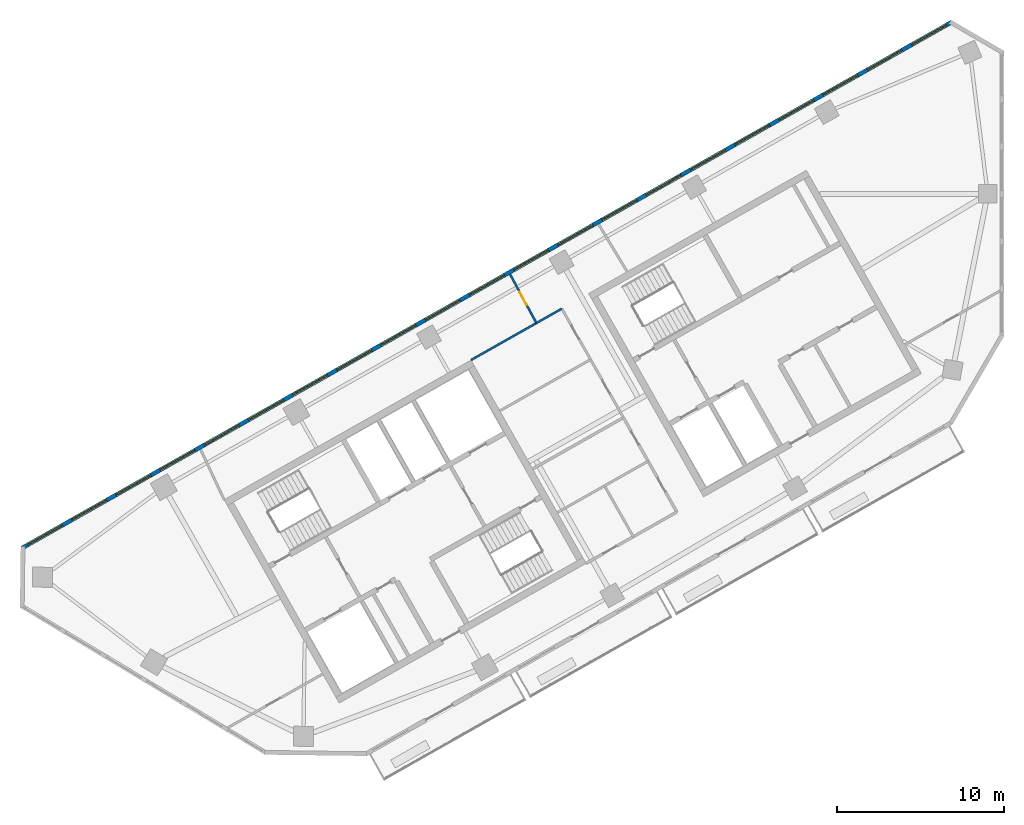
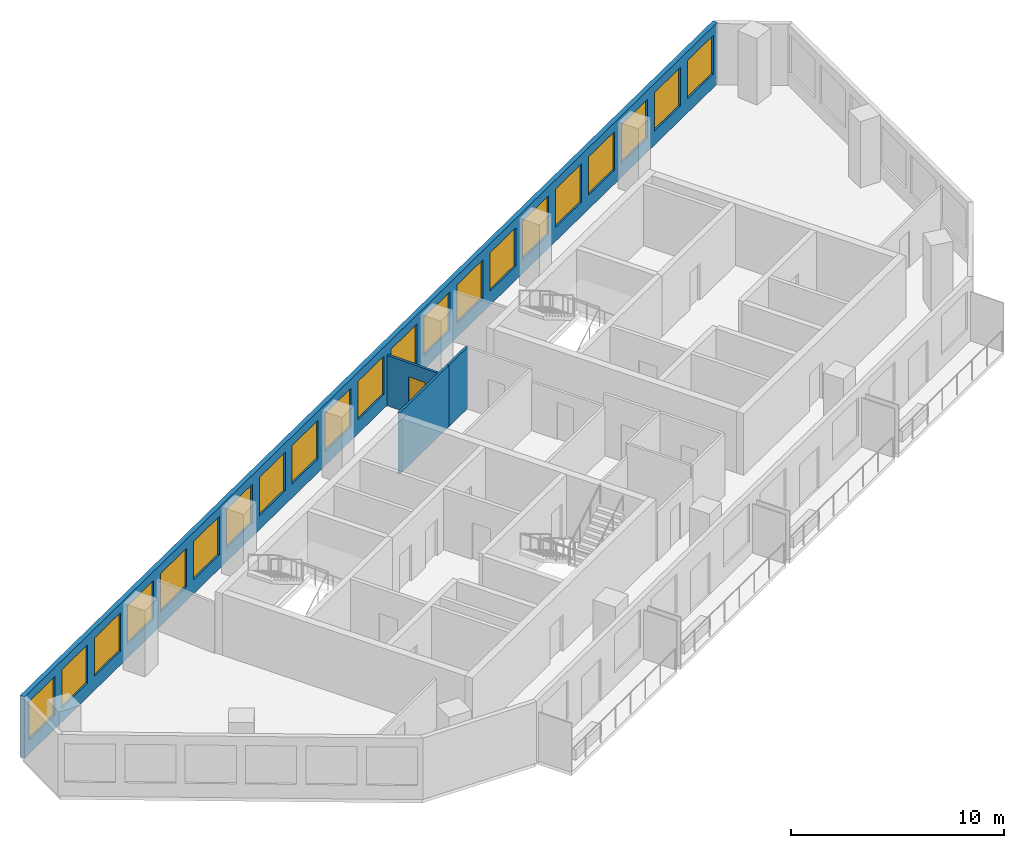
# One storey, part 3 of 7: 21 windows, 4 walls, 1 door, 22 openings.
"""IFC4 building model written with IfcOpenShell, lengths in metres."""

from ifc_helpers import new_model, si_unit, direction, frame, frame_2d, origin, place, context, subcontext, project, spatial, rectangle, extrude, material, layer, layer_set, type_object, element, fill, save


model = new_model("IFC4")

# Units and contexts
model_context = context("Model", 3, precision=1e-05, world=origin(), true_north=direction((0.0, 1.0)))
body_context = subcontext(model_context, "Body", "Model", "MODEL_VIEW")
ifc_project = project(units=[si_unit("LENGTHUNIT", "METRE"), si_unit("AREAUNIT", "SQUARE_METRE"), si_unit("VOLUMEUNIT", "CUBIC_METRE"), si_unit("PLANEANGLEUNIT", "RADIAN"), si_unit("MASSUNIT", "GRAM", prefix="KILO")], contexts=[model_context])

# Site, building, storey
site_placement = place(None, origin())
site = spatial("IfcSite", under=ifc_project, at=site_placement, CompositionType="ELEMENT")
building_placement = place(site_placement, origin())
building = spatial("IfcBuilding", under=site, at=building_placement, Name="Binnacle Exchange Tower", CompositionType="ELEMENT")
storey_placement = place(building_placement, frame((0.0, 0.0, 266.5)))
storey = spatial("IfcBuildingStorey", under=building, at=storey_placement, Name="L59", CompositionType="ELEMENT", Elevation=266.5)

# Wall, openings, windows
ifc_material_1 = material(Name="Bronze aluminium cladding", Category="aluminium")
ifc_layer_1 = layer(ifc_material_1, 0.25)
ifc_layer_set_1 = layer_set([ifc_layer_1], Name="External wall - window wall 250")
wall_type_1 = type_object("IfcWallType", Name="External wall - window wall 250", PredefinedType="STANDARD", material=ifc_layer_set_1)
wall_1_placement = place(storey_placement, frame((-58.732177734375, 38.770751953125, 0.0), z_axis=(0.0, 0.0, 1.0), x_axis=(0.870355615581, 0.492423702137, 0.0)))
wall_1 = element("IfcWall", 1, at=wall_1_placement, inside=storey, type_object=wall_type_1, Name="External wall EW-H03 L59", PredefinedType="STANDARD", context=body_context, shape_type="SweptSolid", body=[
    extrude(rectangle(XDim=64.052490234375, YDim=0.25, at=frame_2d((32.0263671875, 0.0))), origin(), (0.0, 0.0, 1.0), 3.52001953125),
])
opening_1_placement = place(wall_1_placement, frame((61.25927734375, 0.0, 0.800048828125)))
opening_1 = element("IfcOpeningElement", 2, at=opening_1_placement, cuts=wall_1, Name="Opening WR2", PredefinedType="OPENING", context=body_context, shape_type="SweptSolid", body=[
    extrude(rectangle(XDim=2.39990234375, YDim=2.199951171875, at=frame_2d((1.199951171875, 1.10009765625))), frame((0.0, 0.135009765625, 0.0), z_axis=(0.0, -1.0, 0.0), x_axis=(1.0, 0.0, 0.0)), (0.0, 0.0, 1.0), 0.27001953125),
])
opening_2_placement = place(wall_1_placement, frame((58.2158203125, 0.0, 0.800048828125)))
opening_2 = element("IfcOpeningElement", 3, at=opening_2_placement, cuts=wall_1, Name="Opening WR2", PredefinedType="OPENING", context=body_context, shape_type="SweptSolid", body=[
    extrude(rectangle(XDim=2.39990234375, YDim=2.199951171875, at=frame_2d((1.199951171875, 1.10009765625))), frame((0.0, 0.135009765625, 0.0), z_axis=(0.0, -1.0, 0.0), x_axis=(1.0, 0.0, 0.0)), (0.0, 0.0, 1.0), 0.27001953125),
])
opening_3_placement = place(wall_1_placement, frame((55.172607421875, 0.0, 0.800048828125)))
opening_3 = element("IfcOpeningElement", 4, at=opening_3_placement, cuts=wall_1, Name="Opening WR2", PredefinedType="OPENING", context=body_context, shape_type="SweptSolid", body=[
    extrude(rectangle(XDim=2.39990234375, YDim=2.199951171875, at=frame_2d((1.199951171875, 1.10009765625))), frame((0.0, 0.135009765625, 0.0), z_axis=(0.0, -1.0, 0.0), x_axis=(1.0, 0.0, 0.0)), (0.0, 0.0, 1.0), 0.27001953125),
])
opening_4_placement = place(wall_1_placement, frame((52.12939453125, 0.0, 0.800048828125)))
opening_4 = element("IfcOpeningElement", 5, at=opening_4_placement, cuts=wall_1, Name="Opening WR2", PredefinedType="OPENING", context=body_context, shape_type="SweptSolid", body=[
    extrude(rectangle(XDim=2.39990234375, YDim=2.199951171875, at=frame_2d((1.199951171875, 1.10009765625))), frame((0.0, 0.135009765625, 0.0), z_axis=(0.0, -1.0, 0.0), x_axis=(1.0, 0.0, 0.0)), (0.0, 0.0, 1.0), 0.27001953125),
])
opening_5_placement = place(wall_1_placement, frame((49.0859375, 0.0, 0.800048828125)))
opening_5 = element("IfcOpeningElement", 6, at=opening_5_placement, cuts=wall_1, Name="Opening WR2", PredefinedType="OPENING", context=body_context, shape_type="SweptSolid", body=[
    extrude(rectangle(XDim=2.39990234375, YDim=2.199951171875, at=frame_2d((1.199951171875, 1.10009765625))), frame((0.0, 0.135009765625, 0.0), z_axis=(0.0, -1.0, 0.0), x_axis=(1.0, 0.0, 0.0)), (0.0, 0.0, 1.0), 0.27001953125),
])
opening_6_placement = place(wall_1_placement, frame((46.042724609375, 0.0, 0.800048828125)))
opening_6 = element("IfcOpeningElement", 7, at=opening_6_placement, cuts=wall_1, Name="Opening WR2", PredefinedType="OPENING", context=body_context, shape_type="SweptSolid", body=[
    extrude(rectangle(XDim=2.39990234375, YDim=2.199951171875, at=frame_2d((1.199951171875, 1.10009765625))), frame((0.0, 0.135009765625, 0.0), z_axis=(0.0, -1.0, 0.0), x_axis=(1.0, 0.0, 0.0)), (0.0, 0.0, 1.0), 0.27001953125),
])
opening_7_placement = place(wall_1_placement, frame((42.99951171875, 0.0, 0.800048828125)))
opening_7 = element("IfcOpeningElement", 8, at=opening_7_placement, cuts=wall_1, Name="Opening WR2", PredefinedType="OPENING", context=body_context, shape_type="SweptSolid", body=[
    extrude(rectangle(XDim=2.39990234375, YDim=2.199951171875, at=frame_2d((1.199951171875, 1.10009765625))), frame((0.0, 0.135009765625, 0.0), z_axis=(0.0, -1.0, 0.0), x_axis=(1.0, 0.0, 0.0)), (0.0, 0.0, 1.0), 0.27001953125),
])
opening_8_placement = place(wall_1_placement, frame((39.956298828125, 0.0, 0.800048828125)))
opening_8 = element("IfcOpeningElement", 9, at=opening_8_placement, cuts=wall_1, Name="Opening WR2", PredefinedType="OPENING", context=body_context, shape_type="SweptSolid", body=[
    extrude(rectangle(XDim=2.39990234375, YDim=2.199951171875, at=frame_2d((1.199951171875, 1.10009765625))), frame((0.0, 0.135009765625, 0.0), z_axis=(0.0, -1.0, 0.0), x_axis=(1.0, 0.0, 0.0)), (0.0, 0.0, 1.0), 0.27001953125),
])
opening_9_placement = place(wall_1_placement, frame((36.912841796875, 0.0, 0.800048828125)))
opening_9 = element("IfcOpeningElement", 10, at=opening_9_placement, cuts=wall_1, Name="Opening WR2", PredefinedType="OPENING", context=body_context, shape_type="SweptSolid", body=[
    extrude(rectangle(XDim=2.39990234375, YDim=2.199951171875, at=frame_2d((1.199951171875, 1.10009765625))), frame((0.0, 0.135009765625, 0.0), z_axis=(0.0, -1.0, 0.0), x_axis=(1.0, 0.0, 0.0)), (0.0, 0.0, 1.0), 0.27001953125),
])
opening_10_placement = place(wall_1_placement, frame((33.86962890625, 0.0, 0.800048828125)))
opening_10 = element("IfcOpeningElement", 11, at=opening_10_placement, cuts=wall_1, Name="Opening WR2", PredefinedType="OPENING", context=body_context, shape_type="SweptSolid", body=[
    extrude(rectangle(XDim=2.39990234375, YDim=2.199951171875, at=frame_2d((1.199951171875, 1.10009765625))), frame((0.0, 0.135009765625, 0.0), z_axis=(0.0, -1.0, 0.0), x_axis=(1.0, 0.0, 0.0)), (0.0, 0.0, 1.0), 0.27001953125),
])
opening_11_placement = place(wall_1_placement, frame((30.826416015625, 0.0, 0.800048828125)))
opening_11 = element("IfcOpeningElement", 12, at=opening_11_placement, cuts=wall_1, Name="Opening WR2", PredefinedType="OPENING", context=body_context, shape_type="SweptSolid", body=[
    extrude(rectangle(XDim=2.39990234375, YDim=2.199951171875, at=frame_2d((1.199951171875, 1.10009765625))), frame((0.0, 0.135009765625, 0.0), z_axis=(0.0, -1.0, 0.0), x_axis=(1.0, 0.0, 0.0)), (0.0, 0.0, 1.0), 0.27001953125),
])
opening_12_placement = place(wall_1_placement, frame((27.782958984375, 0.0, 0.800048828125)))
opening_12 = element("IfcOpeningElement", 13, at=opening_12_placement, cuts=wall_1, Name="Opening WR2", PredefinedType="OPENING", context=body_context, shape_type="SweptSolid", body=[
    extrude(rectangle(XDim=2.39990234375, YDim=2.199951171875, at=frame_2d((1.199951171875, 1.10009765625))), frame((0.0, 0.135009765625, 0.0), z_axis=(0.0, -1.0, 0.0), x_axis=(1.0, 0.0, 0.0)), (0.0, 0.0, 1.0), 0.27001953125),
])
opening_13_placement = place(wall_1_placement, frame((24.73974609375, 0.0, 0.800048828125)))
opening_13 = element("IfcOpeningElement", 14, at=opening_13_placement, cuts=wall_1, Name="Opening WR2", PredefinedType="OPENING", context=body_context, shape_type="SweptSolid", body=[
    extrude(rectangle(XDim=2.39990234375, YDim=2.199951171875, at=frame_2d((1.199951171875, 1.10009765625))), frame((0.0, 0.135009765625, 0.0), z_axis=(0.0, -1.0, 0.0), x_axis=(1.0, 0.0, 0.0)), (0.0, 0.0, 1.0), 0.27001953125),
])
opening_14_placement = place(wall_1_placement, frame((21.6962890625, 0.0, 0.800048828125)))
opening_14 = element("IfcOpeningElement", 15, at=opening_14_placement, cuts=wall_1, Name="Opening WR2", PredefinedType="OPENING", context=body_context, shape_type="SweptSolid", body=[
    extrude(rectangle(XDim=2.39990234375, YDim=2.199951171875, at=frame_2d((1.199951171875, 1.10009765625))), frame((0.0, 0.135009765625, 0.0), z_axis=(0.0, -1.0, 0.0), x_axis=(1.0, 0.0, 0.0)), (0.0, 0.0, 1.0), 0.27001953125),
])
opening_15_placement = place(wall_1_placement, frame((18.6533203125, 0.0, 0.800048828125)))
opening_15 = element("IfcOpeningElement", 16, at=opening_15_placement, cuts=wall_1, Name="Opening WR2", PredefinedType="OPENING", context=body_context, shape_type="SweptSolid", body=[
    extrude(rectangle(XDim=2.39990234375, YDim=2.199951171875, at=frame_2d((1.199951171875, 1.10009765625))), frame((0.0, 0.135009765625, 0.0), z_axis=(0.0, -1.0, 0.0), x_axis=(1.0, 0.0, 0.0)), (0.0, 0.0, 1.0), 0.27001953125),
])
opening_16_placement = place(wall_1_placement, frame((15.60986328125, 0.0, 0.800048828125)))
opening_16 = element("IfcOpeningElement", 17, at=opening_16_placement, cuts=wall_1, Name="Opening WR2", PredefinedType="OPENING", context=body_context, shape_type="SweptSolid", body=[
    extrude(rectangle(XDim=2.39990234375, YDim=2.199951171875, at=frame_2d((1.199951171875, 1.10009765625))), frame((0.0, 0.135009765625, 0.0), z_axis=(0.0, -1.0, 0.0), x_axis=(1.0, 0.0, 0.0)), (0.0, 0.0, 1.0), 0.27001953125),
])
opening_17_placement = place(wall_1_placement, frame((12.566650390625, 0.0, 0.800048828125)))
opening_17 = element("IfcOpeningElement", 18, at=opening_17_placement, cuts=wall_1, Name="Opening WR2", PredefinedType="OPENING", context=body_context, shape_type="SweptSolid", body=[
    extrude(rectangle(XDim=2.39990234375, YDim=2.199951171875, at=frame_2d((1.199951171875, 1.10009765625))), frame((0.0, 0.135009765625, 0.0), z_axis=(0.0, -1.0, 0.0), x_axis=(1.0, 0.0, 0.0)), (0.0, 0.0, 1.0), 0.27001953125),
])
opening_18_placement = place(wall_1_placement, frame((9.523193359375, 0.0, 0.800048828125)))
opening_18 = element("IfcOpeningElement", 19, at=opening_18_placement, cuts=wall_1, Name="Opening WR2", PredefinedType="OPENING", context=body_context, shape_type="SweptSolid", body=[
    extrude(rectangle(XDim=2.39990234375, YDim=2.199951171875, at=frame_2d((1.199951171875, 1.10009765625))), frame((0.0, 0.135009765625, 0.0), z_axis=(0.0, -1.0, 0.0), x_axis=(1.0, 0.0, 0.0)), (0.0, 0.0, 1.0), 0.27001953125),
])
opening_19_placement = place(wall_1_placement, frame((6.47998046875, 0.0, 0.800048828125)))
opening_19 = element("IfcOpeningElement", 20, at=opening_19_placement, cuts=wall_1, Name="Opening WR2", PredefinedType="OPENING", context=body_context, shape_type="SweptSolid", body=[
    extrude(rectangle(XDim=2.39990234375, YDim=2.199951171875, at=frame_2d((1.199951171875, 1.10009765625))), frame((0.0, 0.135009765625, 0.0), z_axis=(0.0, -1.0, 0.0), x_axis=(1.0, 0.0, 0.0)), (0.0, 0.0, 1.0), 0.27001953125),
])
opening_20_placement = place(wall_1_placement, frame((3.436767578125, 0.0, 0.800048828125)))
opening_20 = element("IfcOpeningElement", 21, at=opening_20_placement, cuts=wall_1, Name="Opening WR2", PredefinedType="OPENING", context=body_context, shape_type="SweptSolid", body=[
    extrude(rectangle(XDim=2.39990234375, YDim=2.199951171875, at=frame_2d((1.199951171875, 1.10009765625))), frame((0.0, 0.135009765625, 0.0), z_axis=(0.0, -1.0, 0.0), x_axis=(1.0, 0.0, 0.0)), (0.0, 0.0, 1.0), 0.27001953125),
])
opening_21_placement = place(wall_1_placement, frame((0.393310546875, 0.0, 0.800048828125)))
opening_21 = element("IfcOpeningElement", 22, at=opening_21_placement, cuts=wall_1, Name="Opening WR2", PredefinedType="OPENING", context=body_context, shape_type="SweptSolid", body=[
    extrude(rectangle(XDim=2.39990234375, YDim=2.199951171875, at=frame_2d((1.199951171875, 1.10009765625))), frame((0.0, 0.135009765625, 0.0), z_axis=(0.0, -1.0, 0.0), x_axis=(1.0, 0.0, 0.0)), (0.0, 0.0, 1.0), 0.27001953125),
])
ifc_material_2 = material(Name="Bronze anodised aluminium frame", Category="aluminium")
window_type = type_object("IfcWindowType", Name="WR2 WINDOW 2400x2200", PartitioningType="SINGLE_PANEL", PredefinedType="WINDOW", material=ifc_material_2)
window_1_placement = place(opening_1_placement, origin())
window_1 = element("IfcWindow", 23, at=window_1_placement, inside=storey, type_object=window_type, Name="Window WR2 L59", OverallHeight=2.199951171875, OverallWidth=2.39990234375, PartitioningType="SINGLE_PANEL", PredefinedType="WINDOW", context=body_context, shape_type="SweptSolid", body=[
    extrude(rectangle(XDim=2.39990234375, YDim=2.199951171875, at=frame_2d((1.199951171875, 1.10009765625))), frame((0.0, 0.030029296875, 0.0), z_axis=(0.0, -1.0, 0.0), x_axis=(1.0, 0.0, 0.0)), (0.0, 0.0, 1.0), 0.06005859375),
])
fill(opening_1, window_1)
window_2_placement = place(opening_2_placement, origin())
window_2 = element("IfcWindow", 24, at=window_2_placement, inside=storey, type_object=window_type, Name="Window WR2 L59", OverallHeight=2.199951171875, OverallWidth=2.39990234375, PartitioningType="SINGLE_PANEL", PredefinedType="WINDOW", context=body_context, shape_type="SweptSolid", body=[
    extrude(rectangle(XDim=2.39990234375, YDim=2.199951171875, at=frame_2d((1.199951171875, 1.10009765625))), frame((0.0, 0.030029296875, 0.0), z_axis=(0.0, -1.0, 0.0), x_axis=(1.0, 0.0, 0.0)), (0.0, 0.0, 1.0), 0.06005859375),
])
fill(opening_2, window_2)
window_3_placement = place(opening_3_placement, origin())
window_3 = element("IfcWindow", 25, at=window_3_placement, inside=storey, type_object=window_type, Name="Window WR2 L59", OverallHeight=2.199951171875, OverallWidth=2.39990234375, PartitioningType="SINGLE_PANEL", PredefinedType="WINDOW", context=body_context, shape_type="SweptSolid", body=[
    extrude(rectangle(XDim=2.39990234375, YDim=2.199951171875, at=frame_2d((1.199951171875, 1.10009765625))), frame((0.0, 0.030029296875, 0.0), z_axis=(0.0, -1.0, 0.0), x_axis=(1.0, 0.0, 0.0)), (0.0, 0.0, 1.0), 0.06005859375),
])
fill(opening_3, window_3)
window_4_placement = place(opening_4_placement, origin())
window_4 = element("IfcWindow", 26, at=window_4_placement, inside=storey, type_object=window_type, Name="Window WR2 L59", OverallHeight=2.199951171875, OverallWidth=2.39990234375, PartitioningType="SINGLE_PANEL", PredefinedType="WINDOW", context=body_context, shape_type="SweptSolid", body=[
    extrude(rectangle(XDim=2.39990234375, YDim=2.199951171875, at=frame_2d((1.199951171875, 1.10009765625))), frame((0.0, 0.030029296875, 0.0), z_axis=(0.0, -1.0, 0.0), x_axis=(1.0, 0.0, 0.0)), (0.0, 0.0, 1.0), 0.06005859375),
])
fill(opening_4, window_4)
window_5_placement = place(opening_5_placement, origin())
window_5 = element("IfcWindow", 27, at=window_5_placement, inside=storey, type_object=window_type, Name="Window WR2 L59", OverallHeight=2.199951171875, OverallWidth=2.39990234375, PartitioningType="SINGLE_PANEL", PredefinedType="WINDOW", context=body_context, shape_type="SweptSolid", body=[
    extrude(rectangle(XDim=2.39990234375, YDim=2.199951171875, at=frame_2d((1.199951171875, 1.10009765625))), frame((0.0, 0.030029296875, 0.0), z_axis=(0.0, -1.0, 0.0), x_axis=(1.0, 0.0, 0.0)), (0.0, 0.0, 1.0), 0.06005859375),
])
fill(opening_5, window_5)
window_6_placement = place(opening_6_placement, origin())
window_6 = element("IfcWindow", 28, at=window_6_placement, inside=storey, type_object=window_type, Name="Window WR2 L59", OverallHeight=2.199951171875, OverallWidth=2.39990234375, PartitioningType="SINGLE_PANEL", PredefinedType="WINDOW", context=body_context, shape_type="SweptSolid", body=[
    extrude(rectangle(XDim=2.39990234375, YDim=2.199951171875, at=frame_2d((1.199951171875, 1.10009765625))), frame((0.0, 0.030029296875, 0.0), z_axis=(0.0, -1.0, 0.0), x_axis=(1.0, 0.0, 0.0)), (0.0, 0.0, 1.0), 0.06005859375),
])
fill(opening_6, window_6)
window_7_placement = place(opening_7_placement, origin())
window_7 = element("IfcWindow", 29, at=window_7_placement, inside=storey, type_object=window_type, Name="Window WR2 L59", OverallHeight=2.199951171875, OverallWidth=2.39990234375, PartitioningType="SINGLE_PANEL", PredefinedType="WINDOW", context=body_context, shape_type="SweptSolid", body=[
    extrude(rectangle(XDim=2.39990234375, YDim=2.199951171875, at=frame_2d((1.199951171875, 1.10009765625))), frame((0.0, 0.030029296875, 0.0), z_axis=(0.0, -1.0, 0.0), x_axis=(1.0, 0.0, 0.0)), (0.0, 0.0, 1.0), 0.06005859375),
])
fill(opening_7, window_7)
window_8_placement = place(opening_8_placement, origin())
window_8 = element("IfcWindow", 30, at=window_8_placement, inside=storey, type_object=window_type, Name="Window WR2 L59", OverallHeight=2.199951171875, OverallWidth=2.39990234375, PartitioningType="SINGLE_PANEL", PredefinedType="WINDOW", context=body_context, shape_type="SweptSolid", body=[
    extrude(rectangle(XDim=2.39990234375, YDim=2.199951171875, at=frame_2d((1.199951171875, 1.10009765625))), frame((0.0, 0.030029296875, 0.0), z_axis=(0.0, -1.0, 0.0), x_axis=(1.0, 0.0, 0.0)), (0.0, 0.0, 1.0), 0.06005859375),
])
fill(opening_8, window_8)
window_9_placement = place(opening_9_placement, origin())
window_9 = element("IfcWindow", 31, at=window_9_placement, inside=storey, type_object=window_type, Name="Window WR2 L59", OverallHeight=2.199951171875, OverallWidth=2.39990234375, PartitioningType="SINGLE_PANEL", PredefinedType="WINDOW", context=body_context, shape_type="SweptSolid", body=[
    extrude(rectangle(XDim=2.39990234375, YDim=2.199951171875, at=frame_2d((1.199951171875, 1.10009765625))), frame((0.0, 0.030029296875, 0.0), z_axis=(0.0, -1.0, 0.0), x_axis=(1.0, 0.0, 0.0)), (0.0, 0.0, 1.0), 0.06005859375),
])
fill(opening_9, window_9)
window_10_placement = place(opening_10_placement, origin())
window_10 = element("IfcWindow", 32, at=window_10_placement, inside=storey, type_object=window_type, Name="Window WR2 L59", OverallHeight=2.199951171875, OverallWidth=2.39990234375, PartitioningType="SINGLE_PANEL", PredefinedType="WINDOW", context=body_context, shape_type="SweptSolid", body=[
    extrude(rectangle(XDim=2.39990234375, YDim=2.199951171875, at=frame_2d((1.199951171875, 1.10009765625))), frame((0.0, 0.030029296875, 0.0), z_axis=(0.0, -1.0, 0.0), x_axis=(1.0, 0.0, 0.0)), (0.0, 0.0, 1.0), 0.06005859375),
])
fill(opening_10, window_10)
window_11_placement = place(opening_11_placement, origin())
window_11 = element("IfcWindow", 33, at=window_11_placement, inside=storey, type_object=window_type, Name="Window WR2 L59", OverallHeight=2.199951171875, OverallWidth=2.39990234375, PartitioningType="SINGLE_PANEL", PredefinedType="WINDOW", context=body_context, shape_type="SweptSolid", body=[
    extrude(rectangle(XDim=2.39990234375, YDim=2.199951171875, at=frame_2d((1.199951171875, 1.10009765625))), frame((0.0, 0.030029296875, 0.0), z_axis=(0.0, -1.0, 0.0), x_axis=(1.0, 0.0, 0.0)), (0.0, 0.0, 1.0), 0.06005859375),
])
fill(opening_11, window_11)
window_12_placement = place(opening_12_placement, origin())
window_12 = element("IfcWindow", 34, at=window_12_placement, inside=storey, type_object=window_type, Name="Window WR2 L59", OverallHeight=2.199951171875, OverallWidth=2.39990234375, PartitioningType="SINGLE_PANEL", PredefinedType="WINDOW", context=body_context, shape_type="SweptSolid", body=[
    extrude(rectangle(XDim=2.39990234375, YDim=2.199951171875, at=frame_2d((1.199951171875, 1.10009765625))), frame((0.0, 0.030029296875, 0.0), z_axis=(0.0, -1.0, 0.0), x_axis=(1.0, 0.0, 0.0)), (0.0, 0.0, 1.0), 0.06005859375),
])
fill(opening_12, window_12)
window_13_placement = place(opening_13_placement, origin())
window_13 = element("IfcWindow", 35, at=window_13_placement, inside=storey, type_object=window_type, Name="Window WR2 L59", OverallHeight=2.199951171875, OverallWidth=2.39990234375, PartitioningType="SINGLE_PANEL", PredefinedType="WINDOW", context=body_context, shape_type="SweptSolid", body=[
    extrude(rectangle(XDim=2.39990234375, YDim=2.199951171875, at=frame_2d((1.199951171875, 1.10009765625))), frame((0.0, 0.030029296875, 0.0), z_axis=(0.0, -1.0, 0.0), x_axis=(1.0, 0.0, 0.0)), (0.0, 0.0, 1.0), 0.06005859375),
])
fill(opening_13, window_13)
window_14_placement = place(opening_14_placement, origin())
window_14 = element("IfcWindow", 36, at=window_14_placement, inside=storey, type_object=window_type, Name="Window WR2 L59", OverallHeight=2.199951171875, OverallWidth=2.39990234375, PartitioningType="SINGLE_PANEL", PredefinedType="WINDOW", context=body_context, shape_type="SweptSolid", body=[
    extrude(rectangle(XDim=2.39990234375, YDim=2.199951171875, at=frame_2d((1.199951171875, 1.10009765625))), frame((0.0, 0.030029296875, 0.0), z_axis=(0.0, -1.0, 0.0), x_axis=(1.0, 0.0, 0.0)), (0.0, 0.0, 1.0), 0.06005859375),
])
fill(opening_14, window_14)
window_15_placement = place(opening_15_placement, origin())
window_15 = element("IfcWindow", 37, at=window_15_placement, inside=storey, type_object=window_type, Name="Window WR2 L59", OverallHeight=2.199951171875, OverallWidth=2.39990234375, PartitioningType="SINGLE_PANEL", PredefinedType="WINDOW", context=body_context, shape_type="SweptSolid", body=[
    extrude(rectangle(XDim=2.39990234375, YDim=2.199951171875, at=frame_2d((1.199951171875, 1.10009765625))), frame((0.0, 0.030029296875, 0.0), z_axis=(0.0, -1.0, 0.0), x_axis=(1.0, 0.0, 0.0)), (0.0, 0.0, 1.0), 0.06005859375),
])
fill(opening_15, window_15)
window_16_placement = place(opening_16_placement, origin())
window_16 = element("IfcWindow", 38, at=window_16_placement, inside=storey, type_object=window_type, Name="Window WR2 L59", OverallHeight=2.199951171875, OverallWidth=2.39990234375, PartitioningType="SINGLE_PANEL", PredefinedType="WINDOW", context=body_context, shape_type="SweptSolid", body=[
    extrude(rectangle(XDim=2.39990234375, YDim=2.199951171875, at=frame_2d((1.199951171875, 1.10009765625))), frame((0.0, 0.030029296875, 0.0), z_axis=(0.0, -1.0, 0.0), x_axis=(1.0, 0.0, 0.0)), (0.0, 0.0, 1.0), 0.06005859375),
])
fill(opening_16, window_16)
window_17_placement = place(opening_17_placement, origin())
window_17 = element("IfcWindow", 39, at=window_17_placement, inside=storey, type_object=window_type, Name="Window WR2 L59", OverallHeight=2.199951171875, OverallWidth=2.39990234375, PartitioningType="SINGLE_PANEL", PredefinedType="WINDOW", context=body_context, shape_type="SweptSolid", body=[
    extrude(rectangle(XDim=2.39990234375, YDim=2.199951171875, at=frame_2d((1.199951171875, 1.10009765625))), frame((0.0, 0.030029296875, 0.0), z_axis=(0.0, -1.0, 0.0), x_axis=(1.0, 0.0, 0.0)), (0.0, 0.0, 1.0), 0.06005859375),
])
fill(opening_17, window_17)
window_18_placement = place(opening_18_placement, origin())
window_18 = element("IfcWindow", 40, at=window_18_placement, inside=storey, type_object=window_type, Name="Window WR2 L59", OverallHeight=2.199951171875, OverallWidth=2.39990234375, PartitioningType="SINGLE_PANEL", PredefinedType="WINDOW", context=body_context, shape_type="SweptSolid", body=[
    extrude(rectangle(XDim=2.39990234375, YDim=2.199951171875, at=frame_2d((1.199951171875, 1.10009765625))), frame((0.0, 0.030029296875, 0.0), z_axis=(0.0, -1.0, 0.0), x_axis=(1.0, 0.0, 0.0)), (0.0, 0.0, 1.0), 0.06005859375),
])
fill(opening_18, window_18)
window_19_placement = place(opening_19_placement, origin())
window_19 = element("IfcWindow", 41, at=window_19_placement, inside=storey, type_object=window_type, Name="Window WR2 L59", OverallHeight=2.199951171875, OverallWidth=2.39990234375, PartitioningType="SINGLE_PANEL", PredefinedType="WINDOW", context=body_context, shape_type="SweptSolid", body=[
    extrude(rectangle(XDim=2.39990234375, YDim=2.199951171875, at=frame_2d((1.199951171875, 1.10009765625))), frame((0.0, 0.030029296875, 0.0), z_axis=(0.0, -1.0, 0.0), x_axis=(1.0, 0.0, 0.0)), (0.0, 0.0, 1.0), 0.06005859375),
])
fill(opening_19, window_19)
window_20_placement = place(opening_20_placement, origin())
window_20 = element("IfcWindow", 42, at=window_20_placement, inside=storey, type_object=window_type, Name="Window WR2 L59", OverallHeight=2.199951171875, OverallWidth=2.39990234375, PartitioningType="SINGLE_PANEL", PredefinedType="WINDOW", context=body_context, shape_type="SweptSolid", body=[
    extrude(rectangle(XDim=2.39990234375, YDim=2.199951171875, at=frame_2d((1.199951171875, 1.10009765625))), frame((0.0, 0.030029296875, 0.0), z_axis=(0.0, -1.0, 0.0), x_axis=(1.0, 0.0, 0.0)), (0.0, 0.0, 1.0), 0.06005859375),
])
fill(opening_20, window_20)
window_21_placement = place(opening_21_placement, origin())
window_21 = element("IfcWindow", 43, at=window_21_placement, inside=storey, type_object=window_type, Name="Window WR2 L59", OverallHeight=2.199951171875, OverallWidth=2.39990234375, PartitioningType="SINGLE_PANEL", PredefinedType="WINDOW", context=body_context, shape_type="SweptSolid", body=[
    extrude(rectangle(XDim=2.39990234375, YDim=2.199951171875, at=frame_2d((1.199951171875, 1.10009765625))), frame((0.0, 0.030029296875, 0.0), z_axis=(0.0, -1.0, 0.0), x_axis=(1.0, 0.0, 0.0)), (0.0, 0.0, 1.0), 0.06005859375),
])
fill(opening_21, window_21)

# Wall
ifc_material_3 = material(Name="Gypsum partition")
ifc_layer_2 = layer(ifc_material_3, 0.125)
ifc_layer_set_2 = layer_set([ifc_layer_2], Name="Partition 125")
wall_type_2 = type_object("IfcWallType", Name="Partition 125", PredefinedType="PARTITIONING", material=ifc_layer_set_2)
wall_2_placement = place(storey_placement, frame((-31.81201171875, 50.0439453125, 0.0), z_axis=(0.0, 0.0, 1.0), x_axis=(0.870309075431, 0.492505952474, 0.0)))
element("IfcWall", 44, at=wall_2_placement, inside=storey, type_object=wall_type_2, Name="Partition W03", PredefinedType="PARTITIONING", context=body_context, shape_type="SweptSolid", body=[
    extrude(rectangle(XDim=4.49951171875, YDim=0.125, at=frame_2d((2.249755859375, 0.0))), origin(), (0.0, 0.0, 1.0), 3.52001953125),
])

# Wall, opening, door
wall_3_placement = place(storey_placement, frame((-29.47412109375, 55.180908203125, 0.0), z_axis=(0.0, 0.0, 1.0), x_axis=(0.475344759365, -0.879799613403, 0.0)))
wall_3 = element("IfcWall", 45, at=wall_3_placement, inside=storey, type_object=wall_type_2, Name="Partition W05", PredefinedType="PARTITIONING", context=body_context, shape_type="SweptSolid", body=[
    extrude(rectangle(XDim=3.320068359375, YDim=0.125, at=frame_2d((1.66015625, 0.0))), origin(), (0.0, 0.0, 1.0), 2.887939453125),
])
opening_22_placement = place(wall_3_placement, frame((1.199951171875, 0.0, 0.0)))
opening_22 = element("IfcOpeningElement", 46, at=opening_22_placement, cuts=wall_3, Name="Opening DL58-02", PredefinedType="OPENING", context=body_context, shape_type="SweptSolid", body=[
    extrude(rectangle(XDim=0.89990234375, YDim=2.10009765625, at=frame_2d((0.449951171875, 1.050048828125))), frame((0.0, 0.072509765625, 0.0), z_axis=(0.0, -1.0, 0.0), x_axis=(1.0, 0.0, 0.0)), (0.0, 0.0, 1.0), 0.14501953125),
])
ifc_material_4 = material(Name="Timber door leaf", Category="wood")
door_type = type_object("IfcDoorType", Name="Door 900", OperationType="NOTDEFINED", PredefinedType="DOOR", material=ifc_material_4)
door_placement = place(opening_22_placement, frame((0.89990234375, 0.0, 0.0), z_axis=(0.0, 0.0, 1.0), x_axis=(-1.0, 0.0, 0.0)))
door = element("IfcDoor", 47, at=door_placement, inside=storey, type_object=door_type, Name="Door DL58-02", OperationType="SINGLE_SWING_RIGHT", OverallHeight=2.10009765625, OverallWidth=0.89990234375, PredefinedType="DOOR", context=body_context, shape_type="SweptSolid", body=[
    extrude(rectangle(XDim=0.89990234375, YDim=2.10009765625, at=frame_2d((0.449951171875, 1.050048828125))), frame((0.0, 0.02490234375, 0.0), z_axis=(0.0, -1.0, 0.0), x_axis=(1.0, 0.0, 0.0)), (0.0, 0.0, 1.0), 0.050048828125),
])
fill(opening_22, door)

# Wall
wall_4_placement = place(storey_placement, frame((-27.89599609375, 52.260009765625, 0.0), z_axis=(0.0, 0.0, 1.0), x_axis=(0.870253469837, 0.492604200384, 0.0)))
element("IfcWall", 48, at=wall_4_placement, inside=storey, type_object=wall_type_2, Name="Partition W07", PredefinedType="PARTITIONING", context=body_context, shape_type="SweptSolid", body=[
    extrude(rectangle(XDim=1.75, YDim=0.125, at=frame_2d((0.875, 0.0))), origin(), (0.0, 0.0, 1.0), 3.52001953125),
])

save(model, "model.ifc")
